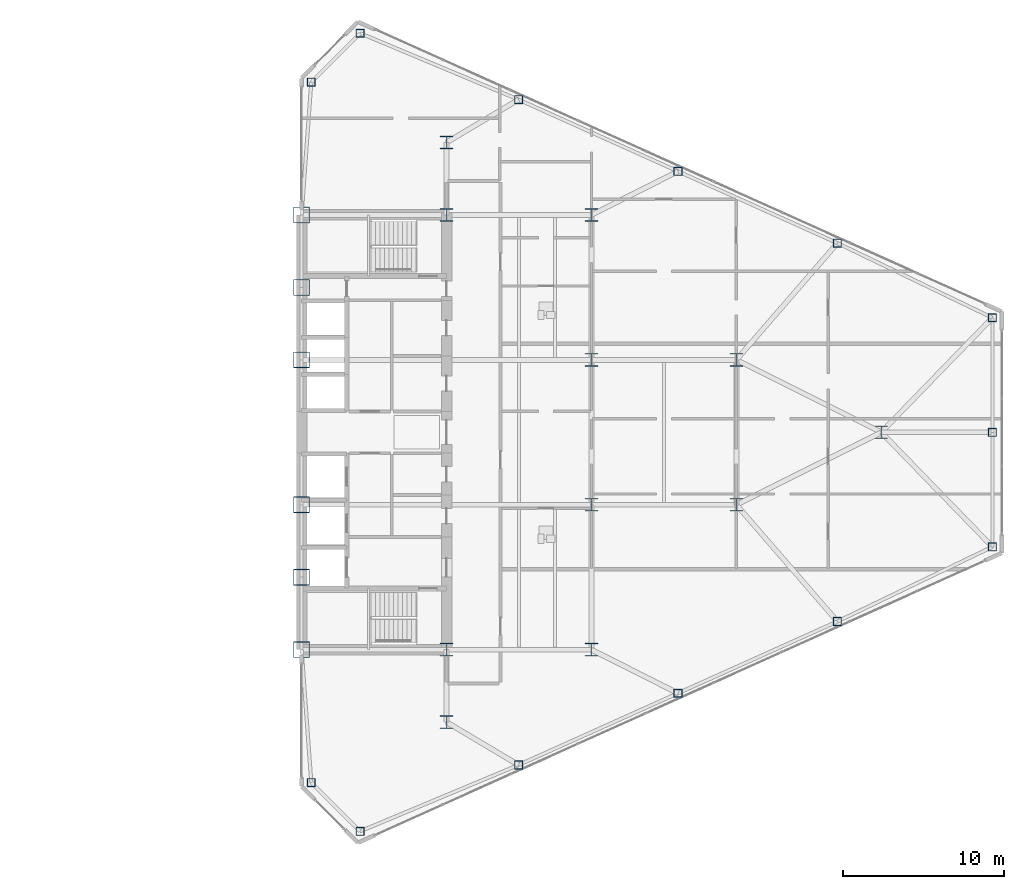
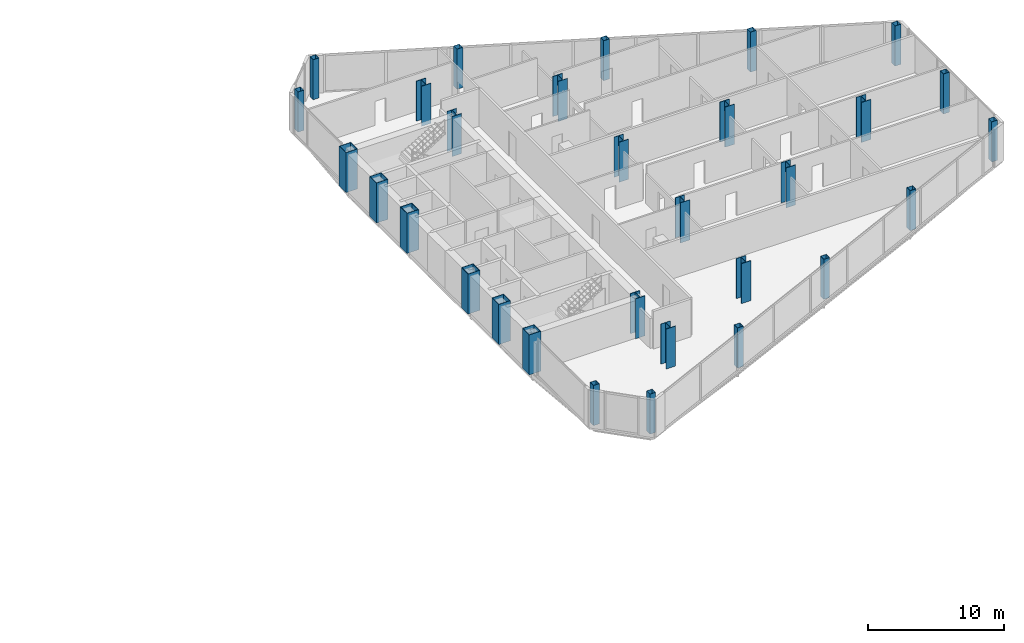
# One storey, part 2 of 27: 30 columns.
"""IFC4 building model written with IfcOpenShell, lengths in metres."""

import ifcopenshell
import ifcopenshell.guid

model = None  # the IFC model being written
_history = None  # IfcOwnerHistory: only IFC2X3 demands one
_inside = {}  # id of a spatial element -> (the spatial element, [elements in it])
_under = {}  # id of a project, library or spatial element -> (it, [spatial elements below it])
_declared = {}  # id of a project -> (the project, [libraries it declares])
_typed = {}  # id of a type object -> (the type object, [elements of that type])
_made_of = {}  # id of a material, layer set ... -> (it, [elements and type objects made of it])


def new_model(schema):
    """Start an empty IFC model of exactly this schema.

    Asked for "IFC4X3", IfcOpenShell would pick the latest addendum, in which some entities
    have other attributes; the version numbers below select the first issue.
    IFC2X3 requires an IfcOwnerHistory on every rooted entity: one is made here for all.
    """
    global model, _history
    if schema == "IFC4X3":
        model = ifcopenshell.file(schema_version=(4, 3, 0, 0))
    else:
        model = ifcopenshell.file(schema=schema)
    _inside.clear()
    _under.clear()
    _declared.clear()
    _typed.clear()
    _made_of.clear()
    _history = None
    if model.schema == "IFC2X3":
        org = make("IfcOrganization", Name="unknown")
        user = make(
            "IfcPersonAndOrganization",
            ThePerson=make("IfcPerson", FamilyName="unknown"),
            TheOrganization=org,
        )
        app = make(
            "IfcApplication",
            ApplicationDeveloper=org,
            Version="unknown",
            ApplicationFullName="unknown",
            ApplicationIdentifier="unknown",
        )
        _history = make(
            "IfcOwnerHistory",
            OwningUser=user,
            OwningApplication=app,
            ChangeAction="ADDED",
            CreationDate=0,
        )
    return model


def make(cls, **values):
    """One entity of the class cls with the attributes given. An attribute that is None is left unset."""
    return model.create_entity(
        cls, **{name: value for name, value in values.items() if value is not None}
    )


def rooted(cls, **values):
    """An entity with a GlobalId (a new one), such as an element, a storey or a relation."""
    return make(cls, GlobalId=ifcopenshell.guid.new(), OwnerHistory=_history, **values)


def si_unit(unit_type, name, prefix=None):
    """IfcSIUnit, for example si_unit("LENGTHUNIT", "METRE", prefix="MILLI")."""
    return make("IfcSIUnit", UnitType=unit_type, Prefix=prefix, Name=name)


def assignment(units):
    """IfcUnitAssignment: the units of a project."""
    return None if units is None else make("IfcUnitAssignment", Units=units)


def point(xyz):
    """IfcCartesianPoint."""
    return None if xyz is None else make("IfcCartesianPoint", Coordinates=xyz)


def direction(xyz):
    """IfcDirection."""
    return None if xyz is None else make("IfcDirection", DirectionRatios=xyz)


def frame(location, z_axis=None, x_axis=None):
    """IfcAxis2Placement3D, a coordinate frame: its origin and axes. An axis left out is left unset."""
    return make(
        "IfcAxis2Placement3D",
        Location=point(location),
        Axis=direction(z_axis),
        RefDirection=direction(x_axis),
    )


def frame_2d(location, x_axis=None):
    """IfcAxis2Placement2D, a coordinate frame in the plane: its origin and x axis."""
    return make(
        "IfcAxis2Placement2D", Location=point(location), RefDirection=direction(x_axis)
    )


def origin():
    """The frame at (0, 0, 0) with its axes left unset."""
    return frame((0.0, 0.0, 0.0))


def origin_2d():
    """The frame at (0, 0) in the plane with its x axis left unset."""
    return frame_2d((0.0, 0.0))


def place(relative_to, where):
    """IfcLocalPlacement: puts the frame where relative to a parent placement (None: the world)."""
    return make(
        "IfcLocalPlacement", PlacementRelTo=relative_to, RelativePlacement=where
    )


def context(
    kind, dimensions, precision=None, world=None, true_north=None, identifier=None
):
    """IfcGeometricRepresentationContext, for example the 3D "Model" context."""
    return make(
        "IfcGeometricRepresentationContext",
        ContextIdentifier=identifier,
        ContextType=kind,
        CoordinateSpaceDimension=dimensions,
        Precision=precision,
        WorldCoordinateSystem=world,
        TrueNorth=true_north,
    )


def subcontext(parent, identifier, kind, view, scale=None):
    """IfcGeometricRepresentationSubContext, for example "Body" below "Model"."""
    return make(
        "IfcGeometricRepresentationSubContext",
        ContextIdentifier=identifier,
        ContextType=kind,
        ParentContext=parent,
        TargetScale=scale,
        TargetView=view,
    )


def project(units=None, contexts=None):
    """IfcProject with its units and contexts."""
    return rooted(
        "IfcProject",
        Name="project",
        RepresentationContexts=contexts,
        UnitsInContext=assignment(units),
    )


def spatial(cls, under=None, at=None, **own):
    """A site, building, storey or space (cls), placed at a placement, below another one or the project."""
    s = rooted(cls, ObjectPlacement=at, **own)
    if under is not None:
        _under.setdefault(under.id(), (under, []))[1].append(s)
    return s


def profile(cls, at=None, kind="AREA", **sizes):
    """A parametric profile (cls). Its sizes go by their IFC names, for example OverallWidth=200.0."""
    return make(cls, ProfileType=kind, Position=at, **sizes)


def hollow_rectangle(**sizes):
    """IfcRectangleHollowProfileDef."""
    return profile("IfcRectangleHollowProfileDef", **sizes)


def i_section(**sizes):
    """IfcIShapeProfileDef."""
    return profile("IfcIShapeProfileDef", **sizes)


def extrude(swept, where, along, depth):
    """IfcExtrudedAreaSolid: the profile swept, set in the frame where, extruded along a direction by depth."""
    return make(
        "IfcExtrudedAreaSolid",
        SweptArea=swept,
        Position=where,
        ExtrudedDirection=direction(along),
        Depth=depth,
    )


def shape(context_of_items, identifier, shape_type, items):
    """IfcShapeRepresentation: the items that make up one representation, for example the "Body"."""
    return make(
        "IfcShapeRepresentation",
        ContextOfItems=context_of_items,
        RepresentationIdentifier=identifier,
        RepresentationType=shape_type,
        Items=items,
    )


def source(mapping_origin, context_of_items, identifier, shape_type, items):
    """IfcRepresentationMap: a shape defined once, which mapped items show again and again."""
    return make(
        "IfcRepresentationMap",
        MappingOrigin=mapping_origin,
        MappedRepresentation=shape(context_of_items, identifier, shape_type, items),
    )


def transform(
    local_origin,
    x_axis=None,
    y_axis=None,
    z_axis=None,
    scale=None,
    scale2=None,
    scale3=None,
    uniform=True,
):
    """IfcCartesianTransformationOperator3D, or its non-uniform kind. x_axis, y_axis, z_axis: its Axis1, 2, 3."""
    if uniform:
        return make(
            "IfcCartesianTransformationOperator3D",
            Axis1=direction(x_axis),
            Axis2=direction(y_axis),
            LocalOrigin=point(local_origin),
            Scale=scale,
            Axis3=direction(z_axis),
        )
    return make(
        "IfcCartesianTransformationOperator3DnonUniform",
        Axis1=direction(x_axis),
        Axis2=direction(y_axis),
        LocalOrigin=point(local_origin),
        Scale=scale,
        Axis3=direction(z_axis),
        Scale2=scale2,
        Scale3=scale3,
    )


def mapped(mapping_source, mapping_target):
    """IfcMappedItem: shows the shape of a source again, moved by a transform."""
    return make(
        "IfcMappedItem", MappingSource=mapping_source, MappingTarget=mapping_target
    )


def material(Name=None, Category=None):
    """IfcMaterial."""
    return make("IfcMaterial", Name=Name, Category=Category)


def material_profile(
    of_material, cross_section, Name=None, Category=None, Priority=None
):
    """IfcMaterialProfile: a cross section and its material."""
    return make(
        "IfcMaterialProfile",
        Name=Name,
        Material=of_material,
        Profile=cross_section,
        Priority=Priority,
        Category=Category,
    )


def profile_set(profiles, Name=None, composite=None):
    """IfcMaterialProfileSet."""
    return make(
        "IfcMaterialProfileSet",
        Name=Name,
        MaterialProfiles=profiles,
        CompositeProfile=composite,
    )


def made_of(thing, what):
    """Note that an element or type object is made of a material, layer set ...; save() writes the relation."""
    if what is not None:
        _made_of.setdefault(what.id(), (what, []))[1].append(thing)
    return thing


def type_object(cls, material=None, **own):
    """A type object (cls), such as IfcWallType, which elements share."""
    return made_of(rooted(cls, **own), material)


def type_shapes(of_type, sources):
    """Give a type object the sources (RepresentationMaps) that its elements show as mapped items."""
    of_type.RepresentationMaps = sources


def element(
    cls,
    number,
    at=None,
    inside=None,
    cuts=None,
    type_object=None,
    material=None,
    context=None,
    identifier="Body",
    shape_type=None,
    held_by="IfcProductDefinitionShape",
    body=None,
    shapes=None,
    **own,
):
    """One element of the class cls, such as IfcWall. Its Tag is "e" and its number.

    at: its placement. inside: the storey or other place that contains it. cuts: it is an
    opening in that element (IfcRelVoidsElement). A single representation is given by context,
    identifier, shape_type and body (its items); several are given by shapes. held_by: the class
    of the entity that holds the representations. save() writes the other relations.
    """
    e = rooted(cls, Tag="e%d" % number, ObjectPlacement=at, **own)
    if body is not None:
        shapes = [shape(context, identifier, shape_type, body)]
    if shapes is not None:
        e.Representation = make(held_by, Representations=shapes)
    if inside is not None:
        _inside.setdefault(inside.id(), (inside, []))[1].append(e)
    if cuts is not None:
        rooted(
            "IfcRelVoidsElement", RelatingBuildingElement=cuts, RelatedOpeningElement=e
        )
    if type_object is not None:
        _typed.setdefault(type_object.id(), (type_object, []))[1].append(e)
    return made_of(e, material)


def aggregate(whole, parts):
    """IfcRelAggregates: a whole, such as a stair, and the parts it consists of."""
    return rooted("IfcRelAggregates", RelatingObject=whole, RelatedObjects=parts)


def save(model, path):
    """Write the relations noted so far, then the file.

    IfcRelAggregates (storeys below a building ...), IfcRelContainedInSpatialStructure (elements
    in a storey), IfcRelDefinesByType, IfcRelAssociatesMaterial and IfcRelDeclares: one each for
    every whole, place, type object, material and project.
    """
    for whole, parts in _under.values():
        aggregate(whole, parts)
    for where, things in _inside.values():
        rooted(
            "IfcRelContainedInSpatialStructure",
            RelatedElements=things,
            RelatingStructure=where,
        )
    for kind, things in _typed.values():
        rooted("IfcRelDefinesByType", RelatedObjects=things, RelatingType=kind)
    for what, things in _made_of.values():
        rooted("IfcRelAssociatesMaterial", RelatedObjects=things, RelatingMaterial=what)
    for by, libraries in _declared.values():
        rooted("IfcRelDeclares", RelatingContext=by, RelatedDefinitions=libraries)
    model.write(path)


model = new_model("IFC4")

# Units and contexts
model_context = context("Model", 3, precision=1e-05, world=origin(), true_north=direction((0.0, 1.0)))
body_context = subcontext(model_context, "Body", "Model", "MODEL_VIEW")
ifc_project = project(units=[si_unit("LENGTHUNIT", "METRE"), si_unit("AREAUNIT", "SQUARE_METRE"), si_unit("VOLUMEUNIT", "CUBIC_METRE"), si_unit("PLANEANGLEUNIT", "RADIAN"), si_unit("MASSUNIT", "GRAM", prefix="KILO")], contexts=[model_context])

# Site, building, storey
site_placement = place(None, origin())
site = spatial("IfcSite", under=ifc_project, at=site_placement, CompositionType="ELEMENT")
building_placement = place(site_placement, origin())
building = spatial("IfcBuilding", under=site, at=building_placement, Name="Seokmaru Belvedere", CompositionType="ELEMENT")
storey_placement = place(building_placement, frame((0.0, 0.0, 69.300048828125)))
storey = spatial("IfcBuildingStorey", under=building, at=storey_placement, Name="L18", CompositionType="ELEMENT", Elevation=69.300048828125)

# Columns
ifc_material_1 = material(Name="Steel SM355 (355 MPa)", Category="steel")
ifc_material_profile_1 = material_profile(ifc_material_1, hollow_rectangle(XDim=0.5, YDim=0.5, WallThickness=0.02001953125, at=origin_2d()), Name="HSS-500x500x20")
ifc_profile_set_1 = profile_set([ifc_material_profile_1], Name="Steel SM355 (355 MPa)")
column_type_1 = type_object("IfcColumnType", Name="Perimeter Facet Column HSS-500", PredefinedType="COLUMN", material=ifc_profile_set_1)
shared_shape_1 = source(origin(), body_context, "Body", "SweptSolid", [
    extrude(hollow_rectangle(XDim=0.5, YDim=0.5, WallThickness=0.02001953125, at=origin_2d()), origin(), (0.0, 0.0, 1.0), 3.599853515625),
])
type_shapes(column_type_1, [shared_shape_1])
for number, where, z_axis, x_axis, name in (
    (1, (31.13134765625, -24.782958984375, 0.0), (0.0, 0.0, 1.0), (1.0, 0.0, 0.0), "L18 Column EF1"),
    (2, (70.39990234375, -7.112060546875, 0.0), (0.0, 0.0, 1.0), (1.0, 0.0, 0.0), "L18 Column EF2"),
    (3, (70.39990234375, 7.112060546875, 0.0), (0.0, 0.0, 1.0), (1.0, 0.0, 0.0), "L18 Column EF3"),
    (4, (31.13134765625, 24.782958984375, 0.0), (0.0, 0.0, 1.0), (1.0, 0.0, 0.0), "L18 Column EF4"),
    (5, (28.10009765625, 21.75146484375, 0.0), (0.0, 0.0, 1.0), (1.0, 0.0, 0.0), "L18 Column EF5"),
    (6, (28.10009765625, -21.75146484375, 0.0), (0.0, 0.0, 1.0), (1.0, 0.0, 0.0), "L18 Column EF6"),
    (7, (40.97265625, -20.661376953125, 0.0), (0.0, 0.0, 1.0), (1.0, 0.0, 0.0), "L18 Column EFLK_S1"),
    (8, (50.875, -16.205322265625, 0.0), (0.0, 0.0, 1.0), (1.0, 0.0, 0.0), "L18 Column EFLK_S2"),
    (9, (60.777587890625, -11.749267578125, 0.0), (0.0, 0.0, 1.0), (1.0, 0.0, 0.0), "L18 Column EFLK_S3"),
    (10, (40.97265625, 20.661376953125, 0.0), (0.0, 0.0, 1.0), (1.0, 0.0, 0.0), "L18 Column EFLK_N1"),
    (11, (50.875, 16.205322265625, 0.0), (0.0, 0.0, 1.0), (1.0, 0.0, 0.0), "L18 Column EFLK_N2"),
    (12, (60.777587890625, 11.749267578125, 0.0), (0.0, 0.0, 1.0), (1.0, 0.0, 0.0), "L18 Column EFLK_N3"),
    (13, (70.39990234375, 0.0, 0.0), (0.0, 0.0, 1.0), (1.0, 0.0, 0.0), "L18 Column EF_APXM"),
):
    element("IfcColumn", number, at=place(storey_placement, frame(where, z_axis=z_axis, x_axis=x_axis)), inside=storey, type_object=column_type_1, Name=name, PredefinedType="COLUMN", context=body_context, shape_type="MappedRepresentation", body=[
        mapped(shared_shape_1, transform((0.0, 0.0, 0.0), scale=1.0)),
    ])
ifc_material_2 = material(Name="Steel HSA650 (650 MPa)", Category="steel")
ifc_material_profile_2 = material_profile(ifc_material_2, hollow_rectangle(XDim=1.0, YDim=1.0, WallThickness=0.0419921875, at=origin_2d()), Name="BOX-1000x1000x42")
ifc_profile_set_2 = profile_set([ifc_material_profile_2], Name="Steel HSA650 (650 MPa)")
column_type_2 = type_object("IfcColumnType", Name="Portal Spine Column BOX-1000", PredefinedType="COLUMN", material=ifc_profile_set_2)
shared_shape_2 = source(origin(), body_context, "Body", "SweptSolid", [
    extrude(hollow_rectangle(XDim=1.0, YDim=1.0, WallThickness=0.0419921875, at=origin_2d()), origin(), (0.0, 0.0, 1.0), 3.599853515625),
])
type_shapes(column_type_2, [shared_shape_2])
for number, where, z_axis, x_axis, name in (
    (14, (27.5, -13.5, 0.0), (0.0, 0.0, 1.0), (1.0, 0.0, 0.0), "L18 Column ES1"),
    (15, (27.5, -9.0, 0.0), (0.0, 0.0, 1.0), (1.0, 0.0, 0.0), "L18 Column ES2"),
    (16, (27.5, -4.5, 0.0), (0.0, 0.0, 1.0), (1.0, 0.0, 0.0), "L18 Column ES3"),
    (17, (27.5, 4.5, 0.0), (0.0, 0.0, 1.0), (1.0, 0.0, 0.0), "L18 Column ES4"),
    (18, (27.5, 9.0, 0.0), (0.0, 0.0, 1.0), (1.0, 0.0, 0.0), "L18 Column ES5"),
    (19, (27.5, 13.5, 0.0), (0.0, 0.0, 1.0), (1.0, 0.0, 0.0), "L18 Column ES6"),
):
    element("IfcColumn", number, at=place(storey_placement, frame(where, z_axis=z_axis, x_axis=x_axis)), inside=storey, type_object=column_type_2, Name=name, PredefinedType="COLUMN", context=body_context, shape_type="MappedRepresentation", body=[
        mapped(shared_shape_2, transform((0.0, 0.0, 0.0), scale=1.0)),
    ])
ifc_material_profile_3 = material_profile(ifc_material_1, i_section(OverallWidth=0.800048828125, OverallDepth=0.800048828125, WebThickness=0.031982421875, FlangeThickness=0.050048828125, at=origin_2d()), Name="H-800x800x32x50")
ifc_profile_set_3 = profile_set([ifc_material_profile_3], Name="Steel SM355 (355 MPa)")
column_type_3 = type_object("IfcColumnType", Name="Lower-Mid Interior Column H-800", PredefinedType="COLUMN", material=ifc_profile_set_3)
shared_shape_3 = source(origin(), body_context, "Body", "SweptSolid", [
    extrude(i_section(OverallWidth=0.800048828125, OverallDepth=0.800048828125, WebThickness=0.031982421875, FlangeThickness=0.050048828125, at=origin_2d()), origin(), (0.0, 0.0, 1.0), 3.599853515625),
])
type_shapes(column_type_3, [shared_shape_3])
for number, where, z_axis, x_axis, name in (
    (20, (36.5, -18.0, 0.0), (0.0, 0.0, 1.0), (1.0, 0.0, 0.0), "L18 Column EC1"),
    (21, (36.5, -13.5, 0.0), (0.0, 0.0, 1.0), (1.0, 0.0, 0.0), "L18 Column EC2"),
    (22, (36.5, 13.5, 0.0), (0.0, 0.0, 1.0), (1.0, 0.0, 0.0), "L18 Column EC3"),
    (23, (36.5, 18.0, 0.0), (0.0, 0.0, 1.0), (1.0, 0.0, 0.0), "L18 Column EC4"),
    (24, (45.5, -13.5, 0.0), (0.0, 0.0, 1.0), (1.0, 0.0, 0.0), "L18 Column EG5_1"),
    (25, (45.5, -4.5, 0.0), (0.0, 0.0, 1.0), (1.0, 0.0, 0.0), "L18 Column EG5_2"),
    (26, (45.5, 4.5, 0.0), (0.0, 0.0, 1.0), (1.0, 0.0, 0.0), "L18 Column EG5_3"),
    (27, (45.5, 13.5, 0.0), (0.0, 0.0, 1.0), (1.0, 0.0, 0.0), "L18 Column EG5_4"),
    (28, (54.5, -4.5, 0.0), (0.0, 0.0, 1.0), (1.0, 0.0, 0.0), "L18 Column EG4P_1"),
    (29, (54.5, 4.5, 0.0), (0.0, 0.0, 1.0), (1.0, 0.0, 0.0), "L18 Column EG4P_2"),
    (30, (63.5, 0.0, 0.0), (0.0, 0.0, 1.0), (1.0, 0.0, 0.0), "L18 Column EG3P_1"),
):
    element("IfcColumn", number, at=place(storey_placement, frame(where, z_axis=z_axis, x_axis=x_axis)), inside=storey, type_object=column_type_3, Name=name, PredefinedType="COLUMN", context=body_context, shape_type="MappedRepresentation", body=[
        mapped(shared_shape_3, transform((0.0, 0.0, 0.0), scale=1.0)),
    ])

save(model, "model.ifc")
